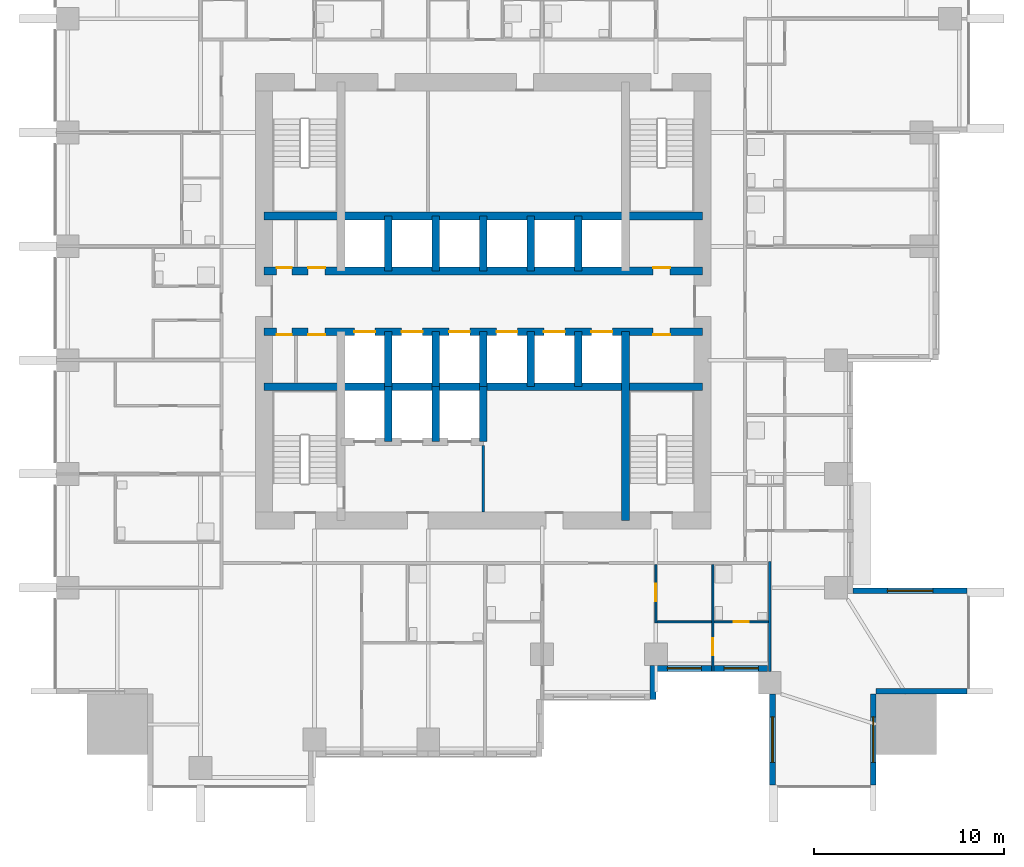
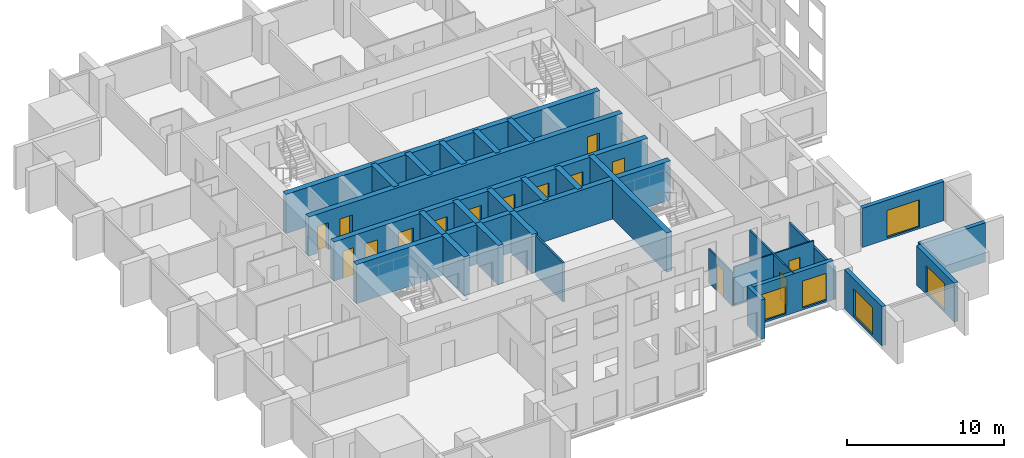
# One storey, part 5 of 11: 29 walls, 15 doors, 5 windows, 20 openings.
"""IFC4 building model written with IfcOpenShell, lengths in metres."""

from ifc_helpers import new_model, si_unit, direction, frame, frame_2d, origin, place, context, subcontext, project, spatial, rectangle, extrude, material, layer, layer_set, type_object, element, fill, save


model = new_model("IFC4")

# Units and contexts
model_context = context("Model", 3, precision=1e-05, world=origin(), true_north=direction((0.0, 1.0)))
body_context = subcontext(model_context, "Body", "Model", "MODEL_VIEW")
ifc_project = project(units=[si_unit("LENGTHUNIT", "METRE"), si_unit("AREAUNIT", "SQUARE_METRE"), si_unit("VOLUMEUNIT", "CUBIC_METRE"), si_unit("PLANEANGLEUNIT", "RADIAN"), si_unit("MASSUNIT", "GRAM", prefix="KILO")], contexts=[model_context])

# Site, building, storey
site_placement = place(None, origin())
site = spatial("IfcSite", under=ifc_project, at=site_placement, CompositionType="ELEMENT")
building_placement = place(site_placement, origin())
building = spatial("IfcBuilding", under=site, at=building_placement, Name="Amberfall Residences", CompositionType="ELEMENT")
storey_placement = place(building_placement, frame((0.0, 0.0, 59.800048828125)))
storey = spatial("IfcBuildingStorey", under=building, at=storey_placement, Name="L16", CompositionType="ELEMENT", Elevation=59.800048828125)

# Wall
ifc_material_1 = material(Name="Pale stone cladding on insulated backing", Category="masonry")
ifc_layer_1 = layer(ifc_material_1, 0.300048828125)
ifc_layer_set_1 = layer_set([ifc_layer_1], Name="Bronze clad wall 300")
wall_type_1 = type_object("IfcWallType", Name="Bronze clad wall 300", PredefinedType="SOLIDWALL", material=ifc_layer_set_1)
wall_1_placement = place(storey_placement, frame((83.449951171875, 24.5, 0.0), z_axis=(0.0, 0.0, 1.0), x_axis=(0.0, 1.0, 0.0)))
element("IfcWall", 1, at=wall_1_placement, inside=storey, type_object=wall_type_1, Name="External wall L16 S", PredefinedType="SOLIDWALL", context=body_context, shape_type="SweptSolid", body=[
    extrude(rectangle(XDim=1.800048828125, YDim=0.300048828125, at=frame_2d((0.89990234375, 0.0))), origin(), (0.0, 0.0, 1.0), 3.050048828125),
])

# Wall, opening, window
wall_2_placement = place(storey_placement, frame((89.75, 24.800048828125, 0.0), z_axis=(0.0, 0.0, 1.0), x_axis=(0.0, -1.0, 0.0)))
wall_2 = element("IfcWall", 2, at=wall_2_placement, inside=storey, type_object=wall_type_1, Name="External wall L16 S", PredefinedType="SOLIDWALL", context=body_context, shape_type="SweptSolid", body=[
    extrude(rectangle(XDim=4.800048828125, YDim=0.300048828125, at=frame_2d((2.39990234375, 0.0))), origin(), (0.0, 0.0, 1.0), 3.050048828125),
])
opening_1_placement = place(wall_2_placement, frame((1.199951171875, 0.0, 0.14990234375)))
opening_1 = element("IfcOpeningElement", 3, at=opening_1_placement, cuts=wall_2, Name="Opening WN5", PredefinedType="OPENING", context=body_context, shape_type="SweptSolid", body=[
    extrude(rectangle(XDim=2.39990234375, YDim=2.10009765625, at=frame_2d((1.199951171875, 1.050048828125))), frame((0.0, 0.159912109375, 0.0), z_axis=(0.0, -1.0, 0.0), x_axis=(1.0, 0.0, 0.0)), (0.0, 0.0, 1.0), 0.320068359375),
])
ifc_material_2 = material(Name="Bronze aluminium framed glazing", Category="aluminium")
window_type_1 = type_object("IfcWindowType", Name="Glazed opening 2400 x 2100 bronze", PartitioningType="DOUBLE_PANEL_VERTICAL", PredefinedType="WINDOW", material=ifc_material_2)
window_1_placement = place(opening_1_placement, origin())
window_1 = element("IfcWindow", 4, at=window_1_placement, inside=storey, type_object=window_type_1, Name="Window L16 S", OverallHeight=2.10009765625, OverallWidth=2.39990234375, PartitioningType="DOUBLE_PANEL_VERTICAL", PredefinedType="WINDOW", context=body_context, shape_type="SweptSolid", body=[
    extrude(rectangle(XDim=2.39990234375, YDim=2.10009765625, at=frame_2d((1.199951171875, 1.050048828125))), frame((0.0, 0.030029296875, 0.0), z_axis=(0.0, -1.0, 0.0), x_axis=(1.0, 0.0, 0.0)), (0.0, 0.0, 1.0), 0.06005859375),
])
fill(opening_1, window_1)

wall_3_placement = place(storey_placement, frame((95.050048828125, 20.0, 0.0), z_axis=(0.0, 0.0, 1.0), x_axis=(0.0, 1.0, 0.0)))
wall_3 = element("IfcWall", 5, at=wall_3_placement, inside=storey, type_object=wall_type_1, Name="External wall L16 SE", PredefinedType="SOLIDWALL", context=body_context, shape_type="SweptSolid", body=[
    extrude(rectangle(XDim=4.800048828125, YDim=0.300048828125, at=frame_2d((2.39990234375, 0.0))), origin(), (0.0, 0.0, 1.0), 3.050048828125),
])
opening_2_placement = place(wall_3_placement, frame((1.199951171875, 0.0, 0.14990234375)))
opening_2 = element("IfcOpeningElement", 6, at=opening_2_placement, cuts=wall_3, Name="Opening WN5", PredefinedType="OPENING", context=body_context, shape_type="SweptSolid", body=[
    extrude(rectangle(XDim=2.39990234375, YDim=2.10009765625, at=frame_2d((1.199951171875, 1.050048828125))), frame((0.0, 0.159912109375, 0.0), z_axis=(0.0, -1.0, 0.0), x_axis=(1.0, 0.0, 0.0)), (0.0, 0.0, 1.0), 0.320068359375),
])
window_2_placement = place(opening_2_placement, origin())
window_2 = element("IfcWindow", 7, at=window_2_placement, inside=storey, type_object=window_type_1, Name="Window L16 SE", OverallHeight=2.10009765625, OverallWidth=2.39990234375, PartitioningType="DOUBLE_PANEL_VERTICAL", PredefinedType="WINDOW", context=body_context, shape_type="SweptSolid", body=[
    extrude(rectangle(XDim=2.39990234375, YDim=2.10009765625, at=frame_2d((1.199951171875, 1.050048828125))), frame((0.0, 0.030029296875, 0.0), z_axis=(0.0, -1.0, 0.0), x_axis=(1.0, 0.0, 0.0)), (0.0, 0.0, 1.0), 0.06005859375),
])
fill(opening_2, window_2)

# Wall
wall_4_placement = place(storey_placement, frame((95.199951171875, 24.949951171875, 0.0), z_axis=(0.0, 0.0, 1.0), x_axis=(1.0, 0.0, 0.0)))
element("IfcWall", 8, at=wall_4_placement, inside=storey, type_object=wall_type_1, Name="External wall L16 SE", PredefinedType="SOLIDWALL", context=body_context, shape_type="SweptSolid", body=[
    extrude(rectangle(XDim=4.800048828125, YDim=0.300048828125, at=frame_2d((2.39990234375, 0.0))), origin(), (0.0, 0.0, 1.0), 3.050048828125),
])

# Wall, opening, window
wall_5_placement = place(storey_placement, frame((100.0, 30.25, 0.0), z_axis=(0.0, 0.0, 1.0), x_axis=(-1.0, 0.0, 0.0)))
wall_5 = element("IfcWall", 9, at=wall_5_placement, inside=storey, type_object=wall_type_1, Name="External wall L16 E", PredefinedType="SOLIDWALL", context=body_context, shape_type="SweptSolid", body=[
    extrude(rectangle(XDim=6.0, YDim=0.300048828125, at=frame_2d((3.0, 0.0))), origin(), (0.0, 0.0, 1.0), 3.050048828125),
])
opening_3_placement = place(wall_5_placement, frame((1.800048828125, 0.0, 0.14990234375)))
opening_3 = element("IfcOpeningElement", 10, at=opening_3_placement, cuts=wall_5, Name="Opening WN5", PredefinedType="OPENING", context=body_context, shape_type="SweptSolid", body=[
    extrude(rectangle(XDim=2.39990234375, YDim=2.10009765625, at=frame_2d((1.199951171875, 1.050048828125))), frame((0.0, 0.159912109375, 0.0), z_axis=(0.0, -1.0, 0.0), x_axis=(1.0, 0.0, 0.0)), (0.0, 0.0, 1.0), 0.320068359375),
])
window_3_placement = place(opening_3_placement, origin())
window_3 = element("IfcWindow", 11, at=window_3_placement, inside=storey, type_object=window_type_1, Name="Window L16 E", OverallHeight=2.10009765625, OverallWidth=2.39990234375, PartitioningType="DOUBLE_PANEL_VERTICAL", PredefinedType="WINDOW", context=body_context, shape_type="SweptSolid", body=[
    extrude(rectangle(XDim=2.39990234375, YDim=2.10009765625, at=frame_2d((1.199951171875, 1.050048828125))), frame((0.0, 0.030029296875, 0.0), z_axis=(0.0, -1.0, 0.0), x_axis=(1.0, 0.0, 0.0)), (0.0, 0.0, 1.0), 0.06005859375),
])
fill(opening_3, window_3)

# Wall, openings, windows
wall_6_placement = place(storey_placement, frame((83.60009765625, 26.14990234375, 0.0), z_axis=(0.0, 0.0, 1.0), x_axis=(1.0, 0.0, 0.0)))
wall_6 = element("IfcWall", 12, at=wall_6_placement, inside=storey, type_object=wall_type_1, Name="Stone wall L16 S", PredefinedType="SOLIDWALL", context=body_context, shape_type="SweptSolid", body=[
    extrude(rectangle(XDim=5.889892578125, YDim=0.300048828125, at=frame_2d((2.94482421875, 0.0))), origin(), (0.0, 0.0, 1.0), 3.050048828125),
])
opening_4_placement = place(wall_6_placement, frame((0.60009765625, 0.0, 0.14990234375)))
opening_4 = element("IfcOpeningElement", 13, at=opening_4_placement, cuts=wall_6, Name="Opening WN6", PredefinedType="OPENING", context=body_context, shape_type="SweptSolid", body=[
    extrude(rectangle(XDim=1.800048828125, YDim=2.10009765625, at=frame_2d((0.89990234375, 1.050048828125))), frame((0.0, 0.159912109375, 0.0), z_axis=(0.0, -1.0, 0.0), x_axis=(1.0, 0.0, 0.0)), (0.0, 0.0, 1.0), 0.320068359375),
])
opening_5_placement = place(wall_6_placement, frame((3.60009765625, 0.0, 0.14990234375)))
opening_5 = element("IfcOpeningElement", 14, at=opening_5_placement, cuts=wall_6, Name="Opening WN6", PredefinedType="OPENING", context=body_context, shape_type="SweptSolid", body=[
    extrude(rectangle(XDim=1.800048828125, YDim=2.10009765625, at=frame_2d((0.89990234375, 1.050048828125))), frame((0.0, 0.159912109375, 0.0), z_axis=(0.0, -1.0, 0.0), x_axis=(1.0, 0.0, 0.0)), (0.0, 0.0, 1.0), 0.320068359375),
])
window_type_2 = type_object("IfcWindowType", Name="Glazed opening 1800 x 2100 bronze", PartitioningType="DOUBLE_PANEL_VERTICAL", PredefinedType="WINDOW", material=ifc_material_2)
window_4_placement = place(opening_4_placement, origin())
window_4 = element("IfcWindow", 15, at=window_4_placement, inside=storey, type_object=window_type_2, Name="Window L16 S", OverallHeight=2.10009765625, OverallWidth=1.800048828125, PartitioningType="DOUBLE_PANEL_VERTICAL", PredefinedType="WINDOW", context=body_context, shape_type="SweptSolid", body=[
    extrude(rectangle(XDim=1.800048828125, YDim=2.10009765625, at=frame_2d((0.89990234375, 1.050048828125))), frame((0.0, 0.030029296875, 0.0), z_axis=(0.0, -1.0, 0.0), x_axis=(1.0, 0.0, 0.0)), (0.0, 0.0, 1.0), 0.06005859375),
])
fill(opening_4, window_4)
window_5_placement = place(opening_5_placement, origin())
window_5 = element("IfcWindow", 16, at=window_5_placement, inside=storey, type_object=window_type_2, Name="Window L16 S", OverallHeight=2.10009765625, OverallWidth=1.800048828125, PartitioningType="DOUBLE_PANEL_VERTICAL", PredefinedType="WINDOW", context=body_context, shape_type="SweptSolid", body=[
    extrude(rectangle(XDim=1.800048828125, YDim=2.10009765625, at=frame_2d((0.89990234375, 1.050048828125))), frame((0.0, 0.030029296875, 0.0), z_axis=(0.0, -1.0, 0.0), x_axis=(1.0, 0.0, 0.0)), (0.0, 0.0, 1.0), 0.06005859375),
])
fill(opening_5, window_5)

# Wall
ifc_material_3 = material(Name="Concrete C80", Category="concrete")
ifc_layer_2 = layer(ifc_material_3, 0.39990234375)
ifc_layer_set_2 = layer_set([ifc_layer_2], Name="Core wall 400 C80")
wall_type_2 = type_object("IfcWallType", Name="Core wall 400 C80", PredefinedType="SHEAR", material=ifc_layer_set_2)
wall_7_placement = place(storey_placement, frame((62.949951171875, 41.0, 0.0), z_axis=(0.0, 0.0, 1.0), x_axis=(1.0, 0.0, 0.0)))
element("IfcWall", 17, at=wall_7_placement, inside=storey, type_object=wall_type_2, Name="Core wall RW2 L16 H75", PredefinedType="SHEAR", context=body_context, shape_type="SweptSolid", body=[
    extrude(rectangle(XDim=23.10009765625, YDim=0.39990234375, at=frame_2d((11.550048828125, 0.0))), origin(), (0.0, 0.0, 1.0), 3.050048828125),
])

# Wall, openings, doors
wall_8_placement = place(storey_placement, frame((62.949951171875, 43.89990234375, 0.0), z_axis=(0.0, 0.0, 1.0), x_axis=(1.0, 0.0, 0.0)))
wall_8 = element("IfcWall", 18, at=wall_8_placement, inside=storey, type_object=wall_type_2, Name="Core wall RW2 L16 H104", PredefinedType="SHEAR", context=body_context, shape_type="SweptSolid", body=[
    extrude(rectangle(XDim=23.10009765625, YDim=0.39990234375, at=frame_2d((11.550048828125, 0.0))), origin(), (0.0, 0.0, 1.0), 3.050048828125),
])
opening_6_placement = place(wall_8_placement, frame((0.662109375, 0.0, 0.0)))
opening_6 = element("IfcOpeningElement", 19, at=opening_6_placement, cuts=wall_8, Name="Opening RD2", PredefinedType="OPENING", context=body_context, shape_type="SweptSolid", body=[
    extrude(rectangle(XDim=0.800048828125, YDim=2.10009765625, at=frame_2d((0.39990234375, 1.050048828125))), frame((0.0, 0.2099609375, 0.0), z_axis=(0.0, -1.0, 0.0), x_axis=(1.0, 0.0, 0.0)), (0.0, 0.0, 1.0), 0.419921875),
])
opening_7_placement = place(wall_8_placement, frame((2.31201171875, 0.0, 0.0)))
opening_7 = element("IfcOpeningElement", 20, at=opening_7_placement, cuts=wall_8, Name="Opening RD1", PredefinedType="OPENING", context=body_context, shape_type="SweptSolid", body=[
    extrude(rectangle(XDim=0.89990234375, YDim=2.10009765625, at=frame_2d((0.449951171875, 1.050048828125))), frame((0.0, 0.2099609375, 0.0), z_axis=(0.0, -1.0, 0.0), x_axis=(1.0, 0.0, 0.0)), (0.0, 0.0, 1.0), 0.419921875),
])
opening_8_placement = place(wall_8_placement, frame((20.5, 0.0, 0.0)))
opening_8 = element("IfcOpeningElement", 21, at=opening_8_placement, cuts=wall_8, Name="Opening RD1", PredefinedType="OPENING", context=body_context, shape_type="SweptSolid", body=[
    extrude(rectangle(XDim=0.89990234375, YDim=2.10009765625, at=frame_2d((0.449951171875, 1.050048828125))), frame((0.0, 0.2099609375, 0.0), z_axis=(0.0, -1.0, 0.0), x_axis=(1.0, 0.0, 0.0)), (0.0, 0.0, 1.0), 0.419921875),
])
opening_9_placement = place(wall_8_placement, frame((4.75, 0.0, 0.0)))
opening_9 = element("IfcOpeningElement", 22, at=opening_9_placement, cuts=wall_8, Name="Opening LD1", PredefinedType="OPENING", context=body_context, shape_type="SweptSolid", body=[
    extrude(rectangle(XDim=1.10009765625, YDim=2.10009765625, at=frame_2d((0.550048828125, 1.050048828125))), frame((0.0, 0.2099609375, 0.0), z_axis=(0.0, -1.0, 0.0), x_axis=(1.0, 0.0, 0.0)), (0.0, 0.0, 1.0), 0.419921875),
])
opening_10_placement = place(wall_8_placement, frame((7.25, 0.0, 0.0)))
opening_10 = element("IfcOpeningElement", 23, at=opening_10_placement, cuts=wall_8, Name="Opening LD1", PredefinedType="OPENING", context=body_context, shape_type="SweptSolid", body=[
    extrude(rectangle(XDim=1.10009765625, YDim=2.10009765625, at=frame_2d((0.550048828125, 1.050048828125))), frame((0.0, 0.2099609375, 0.0), z_axis=(0.0, -1.0, 0.0), x_axis=(1.0, 0.0, 0.0)), (0.0, 0.0, 1.0), 0.419921875),
])
opening_11_placement = place(wall_8_placement, frame((9.75, 0.0, 0.0)))
opening_11 = element("IfcOpeningElement", 24, at=opening_11_placement, cuts=wall_8, Name="Opening LD1", PredefinedType="OPENING", context=body_context, shape_type="SweptSolid", body=[
    extrude(rectangle(XDim=1.10009765625, YDim=2.10009765625, at=frame_2d((0.550048828125, 1.050048828125))), frame((0.0, 0.2099609375, 0.0), z_axis=(0.0, -1.0, 0.0), x_axis=(1.0, 0.0, 0.0)), (0.0, 0.0, 1.0), 0.419921875),
])
opening_12_placement = place(wall_8_placement, frame((12.25, 0.0, 0.0)))
opening_12 = element("IfcOpeningElement", 25, at=opening_12_placement, cuts=wall_8, Name="Opening LD1", PredefinedType="OPENING", context=body_context, shape_type="SweptSolid", body=[
    extrude(rectangle(XDim=1.10009765625, YDim=2.10009765625, at=frame_2d((0.550048828125, 1.050048828125))), frame((0.0, 0.2099609375, 0.0), z_axis=(0.0, -1.0, 0.0), x_axis=(1.0, 0.0, 0.0)), (0.0, 0.0, 1.0), 0.419921875),
])
opening_13_placement = place(wall_8_placement, frame((14.75, 0.0, 0.0)))
opening_13 = element("IfcOpeningElement", 26, at=opening_13_placement, cuts=wall_8, Name="Opening LD1", PredefinedType="OPENING", context=body_context, shape_type="SweptSolid", body=[
    extrude(rectangle(XDim=1.10009765625, YDim=2.10009765625, at=frame_2d((0.550048828125, 1.050048828125))), frame((0.0, 0.2099609375, 0.0), z_axis=(0.0, -1.0, 0.0), x_axis=(1.0, 0.0, 0.0)), (0.0, 0.0, 1.0), 0.419921875),
])
opening_14_placement = place(wall_8_placement, frame((17.25, 0.0, 0.0)))
opening_14 = element("IfcOpeningElement", 27, at=opening_14_placement, cuts=wall_8, Name="Opening LD1", PredefinedType="OPENING", context=body_context, shape_type="SweptSolid", body=[
    extrude(rectangle(XDim=1.10009765625, YDim=2.10009765625, at=frame_2d((0.550048828125, 1.050048828125))), frame((0.0, 0.2099609375, 0.0), z_axis=(0.0, -1.0, 0.0), x_axis=(1.0, 0.0, 0.0)), (0.0, 0.0, 1.0), 0.419921875),
])
ifc_material_4 = material(Name="Steel fire door set", Category="steel")
door_type_1 = type_object("IfcDoorType", Name="Lift landing door 1100 x 2100", OperationType="DOUBLE_DOOR_SLIDING", PredefinedType="DOOR", material=ifc_material_4)
door_1_placement = place(opening_9_placement, origin())
door_1 = element("IfcDoor", 28, at=door_1_placement, inside=storey, type_object=door_type_1, Name="Landing door LP1 L16", OperationType="DOUBLE_DOOR_SLIDING", OverallHeight=2.10009765625, OverallWidth=1.10009765625, PredefinedType="DOOR", context=body_context, shape_type="SweptSolid", body=[
    extrude(rectangle(XDim=1.10009765625, YDim=2.10009765625, at=frame_2d((0.550048828125, 1.050048828125))), frame((0.0, 0.02490234375, 0.0), z_axis=(0.0, -1.0, 0.0), x_axis=(1.0, 0.0, 0.0)), (0.0, 0.0, 1.0), 0.050048828125),
])
fill(opening_9, door_1)
door_2_placement = place(opening_10_placement, origin())
door_2 = element("IfcDoor", 29, at=door_2_placement, inside=storey, type_object=door_type_1, Name="Landing door LP2 L16", OperationType="DOUBLE_DOOR_SLIDING", OverallHeight=2.10009765625, OverallWidth=1.10009765625, PredefinedType="DOOR", context=body_context, shape_type="SweptSolid", body=[
    extrude(rectangle(XDim=1.10009765625, YDim=2.10009765625, at=frame_2d((0.550048828125, 1.050048828125))), frame((0.0, 0.02490234375, 0.0), z_axis=(0.0, -1.0, 0.0), x_axis=(1.0, 0.0, 0.0)), (0.0, 0.0, 1.0), 0.050048828125),
])
fill(opening_10, door_2)
door_3_placement = place(opening_11_placement, origin())
door_3 = element("IfcDoor", 30, at=door_3_placement, inside=storey, type_object=door_type_1, Name="Landing door LP3 L16", OperationType="DOUBLE_DOOR_SLIDING", OverallHeight=2.10009765625, OverallWidth=1.10009765625, PredefinedType="DOOR", context=body_context, shape_type="SweptSolid", body=[
    extrude(rectangle(XDim=1.10009765625, YDim=2.10009765625, at=frame_2d((0.550048828125, 1.050048828125))), frame((0.0, 0.02490234375, 0.0), z_axis=(0.0, -1.0, 0.0), x_axis=(1.0, 0.0, 0.0)), (0.0, 0.0, 1.0), 0.050048828125),
])
fill(opening_11, door_3)
door_4_placement = place(opening_12_placement, origin())
door_4 = element("IfcDoor", 31, at=door_4_placement, inside=storey, type_object=door_type_1, Name="Landing door LP4 L16", OperationType="DOUBLE_DOOR_SLIDING", OverallHeight=2.10009765625, OverallWidth=1.10009765625, PredefinedType="DOOR", context=body_context, shape_type="SweptSolid", body=[
    extrude(rectangle(XDim=1.10009765625, YDim=2.10009765625, at=frame_2d((0.550048828125, 1.050048828125))), frame((0.0, 0.02490234375, 0.0), z_axis=(0.0, -1.0, 0.0), x_axis=(1.0, 0.0, 0.0)), (0.0, 0.0, 1.0), 0.050048828125),
])
fill(opening_12, door_4)
door_5_placement = place(opening_13_placement, origin())
door_5 = element("IfcDoor", 32, at=door_5_placement, inside=storey, type_object=door_type_1, Name="Landing door LP5 L16", OperationType="DOUBLE_DOOR_SLIDING", OverallHeight=2.10009765625, OverallWidth=1.10009765625, PredefinedType="DOOR", context=body_context, shape_type="SweptSolid", body=[
    extrude(rectangle(XDim=1.10009765625, YDim=2.10009765625, at=frame_2d((0.550048828125, 1.050048828125))), frame((0.0, 0.02490234375, 0.0), z_axis=(0.0, -1.0, 0.0), x_axis=(1.0, 0.0, 0.0)), (0.0, 0.0, 1.0), 0.050048828125),
])
fill(opening_13, door_5)
door_6_placement = place(opening_14_placement, origin())
door_6 = element("IfcDoor", 33, at=door_6_placement, inside=storey, type_object=door_type_1, Name="Landing door LP6 L16", OperationType="DOUBLE_DOOR_SLIDING", OverallHeight=2.10009765625, OverallWidth=1.10009765625, PredefinedType="DOOR", context=body_context, shape_type="SweptSolid", body=[
    extrude(rectangle(XDim=1.10009765625, YDim=2.10009765625, at=frame_2d((0.550048828125, 1.050048828125))), frame((0.0, 0.02490234375, 0.0), z_axis=(0.0, -1.0, 0.0), x_axis=(1.0, 0.0, 0.0)), (0.0, 0.0, 1.0), 0.050048828125),
])
fill(opening_14, door_6)
door_type_2 = type_object("IfcDoorType", Name="Service room door 800 x 2100", OperationType="SINGLE_SWING_LEFT", PredefinedType="DOOR", material=ifc_material_4)
door_7_placement = place(opening_6_placement, origin())
door_7 = element("IfcDoor", 34, at=door_7_placement, inside=storey, type_object=door_type_2, Name="RD2 L16", OperationType="SINGLE_SWING_LEFT", OverallHeight=2.10009765625, OverallWidth=0.800048828125, PredefinedType="DOOR", context=body_context, shape_type="SweptSolid", body=[
    extrude(rectangle(XDim=0.800048828125, YDim=2.10009765625, at=frame_2d((0.39990234375, 1.050048828125))), frame((0.0, -0.1376953125, 0.0), z_axis=(0.0, -1.0, 0.0), x_axis=(1.0, 0.0, 0.0)), (0.0, 0.0, 1.0), 0.050048828125),
])
fill(opening_6, door_7)
door_type_3 = type_object("IfcDoorType", Name="Service room door 900 x 2100", OperationType="SINGLE_SWING_LEFT", PredefinedType="DOOR", material=ifc_material_4)
door_8_placement = place(opening_7_placement, origin())
door_8 = element("IfcDoor", 35, at=door_8_placement, inside=storey, type_object=door_type_3, Name="RD1 L16", OperationType="SINGLE_SWING_RIGHT", OverallHeight=2.10009765625, OverallWidth=0.89990234375, PredefinedType="DOOR", context=body_context, shape_type="SweptSolid", body=[
    extrude(rectangle(XDim=0.89990234375, YDim=2.10009765625, at=frame_2d((0.449951171875, 1.050048828125))), frame((0.0, -0.1376953125, 0.0), z_axis=(0.0, -1.0, 0.0), x_axis=(1.0, 0.0, 0.0)), (0.0, 0.0, 1.0), 0.050048828125),
])
fill(opening_7, door_8)
door_9_placement = place(opening_8_placement, origin())
door_9 = element("IfcDoor", 36, at=door_9_placement, inside=storey, type_object=door_type_3, Name="RD1 L16", OperationType="SINGLE_SWING_LEFT", OverallHeight=2.10009765625, OverallWidth=0.89990234375, PredefinedType="DOOR", context=body_context, shape_type="SweptSolid", body=[
    extrude(rectangle(XDim=0.89990234375, YDim=2.10009765625, at=frame_2d((0.449951171875, 1.050048828125))), frame((0.0, -0.1376953125, 0.0), z_axis=(0.0, -1.0, 0.0), x_axis=(1.0, 0.0, 0.0)), (0.0, 0.0, 1.0), 0.050048828125),
])
fill(opening_8, door_9)

wall_9_placement = place(storey_placement, frame((62.949951171875, 47.10009765625, 0.0), z_axis=(0.0, 0.0, 1.0), x_axis=(1.0, 0.0, 0.0)))
wall_9 = element("IfcWall", 37, at=wall_9_placement, inside=storey, type_object=wall_type_2, Name="Core wall RW2 L16 H136", PredefinedType="SHEAR", context=body_context, shape_type="SweptSolid", body=[
    extrude(rectangle(XDim=23.10009765625, YDim=0.39990234375, at=frame_2d((11.550048828125, 0.0))), origin(), (0.0, 0.0, 1.0), 3.050048828125),
])
opening_15_placement = place(wall_9_placement, frame((0.662109375, 0.0, 0.0)))
opening_15 = element("IfcOpeningElement", 38, at=opening_15_placement, cuts=wall_9, Name="Opening RD2", PredefinedType="OPENING", context=body_context, shape_type="SweptSolid", body=[
    extrude(rectangle(XDim=0.800048828125, YDim=2.10009765625, at=frame_2d((0.39990234375, 1.050048828125))), frame((0.0, 0.2099609375, 0.0), z_axis=(0.0, -1.0, 0.0), x_axis=(1.0, 0.0, 0.0)), (0.0, 0.0, 1.0), 0.419921875),
])
opening_16_placement = place(wall_9_placement, frame((2.31201171875, 0.0, 0.0)))
opening_16 = element("IfcOpeningElement", 39, at=opening_16_placement, cuts=wall_9, Name="Opening RD1", PredefinedType="OPENING", context=body_context, shape_type="SweptSolid", body=[
    extrude(rectangle(XDim=0.89990234375, YDim=2.10009765625, at=frame_2d((0.449951171875, 1.050048828125))), frame((0.0, 0.2099609375, 0.0), z_axis=(0.0, -1.0, 0.0), x_axis=(1.0, 0.0, 0.0)), (0.0, 0.0, 1.0), 0.419921875),
])
opening_17_placement = place(wall_9_placement, frame((20.5, 0.0, 0.0)))
opening_17 = element("IfcOpeningElement", 40, at=opening_17_placement, cuts=wall_9, Name="Opening RD1", PredefinedType="OPENING", context=body_context, shape_type="SweptSolid", body=[
    extrude(rectangle(XDim=0.89990234375, YDim=2.10009765625, at=frame_2d((0.449951171875, 1.050048828125))), frame((0.0, 0.2099609375, 0.0), z_axis=(0.0, -1.0, 0.0), x_axis=(1.0, 0.0, 0.0)), (0.0, 0.0, 1.0), 0.419921875),
])
door_10_placement = place(opening_15_placement, origin())
door_10 = element("IfcDoor", 41, at=door_10_placement, inside=storey, type_object=door_type_2, Name="RD2 L16", OperationType="SINGLE_SWING_LEFT", OverallHeight=2.10009765625, OverallWidth=0.800048828125, PredefinedType="DOOR", context=body_context, shape_type="SweptSolid", body=[
    extrude(rectangle(XDim=0.800048828125, YDim=2.10009765625, at=frame_2d((0.39990234375, 1.050048828125))), frame((0.0, 0.1875, 0.0), z_axis=(0.0, -1.0, 0.0), x_axis=(1.0, 0.0, 0.0)), (0.0, 0.0, 1.0), 0.050048828125),
])
fill(opening_15, door_10)
door_11_placement = place(opening_16_placement, origin())
door_11 = element("IfcDoor", 42, at=door_11_placement, inside=storey, type_object=door_type_3, Name="RD1 L16", OperationType="SINGLE_SWING_RIGHT", OverallHeight=2.10009765625, OverallWidth=0.89990234375, PredefinedType="DOOR", context=body_context, shape_type="SweptSolid", body=[
    extrude(rectangle(XDim=0.89990234375, YDim=2.10009765625, at=frame_2d((0.449951171875, 1.050048828125))), frame((0.0, 0.1875, 0.0), z_axis=(0.0, -1.0, 0.0), x_axis=(1.0, 0.0, 0.0)), (0.0, 0.0, 1.0), 0.050048828125),
])
fill(opening_16, door_11)
door_12_placement = place(opening_17_placement, origin())
door_12 = element("IfcDoor", 43, at=door_12_placement, inside=storey, type_object=door_type_3, Name="RD1 L16", OperationType="SINGLE_SWING_LEFT", OverallHeight=2.10009765625, OverallWidth=0.89990234375, PredefinedType="DOOR", context=body_context, shape_type="SweptSolid", body=[
    extrude(rectangle(XDim=0.89990234375, YDim=2.10009765625, at=frame_2d((0.449951171875, 1.050048828125))), frame((0.0, 0.1875, 0.0), z_axis=(0.0, -1.0, 0.0), x_axis=(1.0, 0.0, 0.0)), (0.0, 0.0, 1.0), 0.050048828125),
])
fill(opening_17, door_12)

# Walls
wall_10_placement = place(storey_placement, frame((62.949951171875, 50.0, 0.0), z_axis=(0.0, 0.0, 1.0), x_axis=(1.0, 0.0, 0.0)))
element("IfcWall", 44, at=wall_10_placement, inside=storey, type_object=wall_type_2, Name="Core wall RW2 L16 H165", PredefinedType="SHEAR", context=body_context, shape_type="SweptSolid", body=[
    extrude(rectangle(XDim=23.10009765625, YDim=0.39990234375, at=frame_2d((11.550048828125, 0.0))), origin(), (0.0, 0.0, 1.0), 3.050048828125),
])
wall_11_placement = place(storey_placement, frame((82.0, 33.949951171875, 0.0), z_axis=(0.0, 0.0, 1.0), x_axis=(0.0, 1.0, 0.0)))
element("IfcWall", 45, at=wall_11_placement, inside=storey, type_object=wall_type_2, Name="Core wall RW2 L16 V195S", PredefinedType="SHEAR", context=body_context, shape_type="SweptSolid", body=[
    extrude(rectangle(XDim=9.949951171875, YDim=0.39990234375, at=frame_2d((4.97509765625, 0.0))), origin(), (0.0, 0.0, 1.0), 3.050048828125),
])
for number, where, z_axis, x_axis, name in (
    (46, (69.5, 41.0, 0.0), (0.0, 0.0, 1.0), (0.0, 1.0, 0.0), "Core wall RW2 L16 LPD1"),
    (47, (69.5, 47.10009765625, 0.0), (0.0, 0.0, 1.0), (0.0, 1.0, 0.0), "Core wall RW2 L16 HPD1"),
    (48, (72.0, 41.0, 0.0), (0.0, 0.0, 1.0), (0.0, 1.0, 0.0), "Core wall RW2 L16 LPD2"),
    (49, (72.0, 47.10009765625, 0.0), (0.0, 0.0, 1.0), (0.0, 1.0, 0.0), "Core wall RW2 L16 HPD2"),
    (50, (74.5, 41.0, 0.0), (0.0, 0.0, 1.0), (0.0, 1.0, 0.0), "Core wall RW2 L16 LPD3"),
    (51, (74.5, 47.10009765625, 0.0), (0.0, 0.0, 1.0), (0.0, 1.0, 0.0), "Core wall RW2 L16 HPD3"),
    (52, (77.0, 41.0, 0.0), (0.0, 0.0, 1.0), (0.0, 1.0, 0.0), "Core wall RW2 L16 LPD4"),
    (53, (77.0, 47.10009765625, 0.0), (0.0, 0.0, 1.0), (0.0, 1.0, 0.0), "Core wall RW2 L16 HPD4"),
    (54, (79.5, 41.0, 0.0), (0.0, 0.0, 1.0), (0.0, 1.0, 0.0), "Core wall RW2 L16 LPD5"),
    (55, (79.5, 47.10009765625, 0.0), (0.0, 0.0, 1.0), (0.0, 1.0, 0.0), "Core wall RW2 L16 HPD5"),
    (56, (69.5, 38.10009765625, 0.0), (0.0, 0.0, 1.0), (0.0, 1.0, 0.0), "Core wall RW2 L16 FFD1"),
    (57, (72.0, 38.10009765625, 0.0), (0.0, 0.0, 1.0), (0.0, 1.0, 0.0), "Core wall RW2 L16 FFD2"),
    (58, (74.5, 38.10009765625, 0.0), (0.0, 0.0, 1.0), (0.0, 1.0, 0.0), "Core wall RW2 L16 FFD3"),
):
    element("IfcWall", number, at=place(storey_placement, frame(where, z_axis=z_axis, x_axis=x_axis)), inside=storey, type_object=wall_type_2, Name=name, PredefinedType="SHEAR", context=body_context, shape_type="SweptSolid", body=[
        extrude(rectangle(XDim=2.89990234375, YDim=0.39990234375, at=frame_2d((1.449951171875, 0.0))), origin(), (0.0, 0.0, 1.0), 3.050048828125),
    ])

# Wall, opening, door
ifc_material_5 = material(Name="Gypsum board on metal stud")
ifc_layer_3 = layer(ifc_material_5, 0.10009765625)
ifc_layer_set_3 = layer_set([ifc_layer_3], Name="Flat partition 100")
wall_type_3 = type_object("IfcWallType", Name="Flat partition 100", PredefinedType="PARTITIONING", material=ifc_layer_set_3)
wall_12_placement = place(storey_placement, frame((83.60009765625, 31.625, 0.0), z_axis=(0.0, 0.0, 1.0), x_axis=(0.0, -1.0, 0.0)))
wall_12 = element("IfcWall", 59, at=wall_12_placement, inside=storey, type_object=wall_type_3, Name="Partition 015", PredefinedType="PARTITIONING", context=body_context, shape_type="SweptSolid", body=[
    extrude(rectangle(XDim=3.074951171875, YDim=0.10009765625, at=frame_2d((1.53759765625, 0.0))), origin(), (0.0, 0.0, 1.0), 2.64697265625),
])
opening_18_placement = place(wall_12_placement, frame((1.02490234375, 0.0, 0.0)))
opening_18 = element("IfcOpeningElement", 60, at=opening_18_placement, cuts=wall_12, Name="Opening D41", PredefinedType="OPENING", context=body_context, shape_type="SweptSolid", body=[
    extrude(rectangle(XDim=0.89990234375, YDim=2.10009765625, at=frame_2d((0.449951171875, 1.050048828125))), frame((0.0, 0.06005859375, 0.0), z_axis=(0.0, -1.0, 0.0), x_axis=(1.0, 0.0, 0.0)), (0.0, 0.0, 1.0), 0.1201171875),
])
ifc_material_6 = material(Name="Timber", Category="wood")
door_type_4 = type_object("IfcDoorType", Name="Internal door 900 x 2100", OperationType="SINGLE_SWING_LEFT", PredefinedType="DOOR", material=ifc_material_6)
door_13_placement = place(opening_18_placement, origin())
door_13 = element("IfcDoor", 61, at=door_13_placement, inside=storey, type_object=door_type_4, Name="Door 1602 kitchen", OperationType="SINGLE_SWING_LEFT", OverallHeight=2.10009765625, OverallWidth=0.89990234375, PredefinedType="DOOR", context=body_context, shape_type="SweptSolid", body=[
    extrude(rectangle(XDim=0.89990234375, YDim=2.10009765625, at=frame_2d((0.449951171875, 1.050048828125))), frame((0.0, 0.02490234375, 0.0), z_axis=(0.0, -1.0, 0.0), x_axis=(1.0, 0.0, 0.0)), (0.0, 0.0, 1.0), 0.050048828125),
])
fill(opening_18, door_13)

wall_13_placement = place(storey_placement, frame((86.60009765625, 31.625, 0.0), z_axis=(0.0, 0.0, 1.0), x_axis=(0.0, -1.0, 0.0)))
wall_13 = element("IfcWall", 62, at=wall_13_placement, inside=storey, type_object=wall_type_3, Name="Partition 017", PredefinedType="PARTITIONING", context=body_context, shape_type="SweptSolid", body=[
    extrude(rectangle(XDim=5.625, YDim=0.10009765625, at=frame_2d((2.8125, 0.0))), origin(), (0.0, 0.0, 1.0), 3.050048828125),
])
opening_19_placement = place(wall_13_placement, frame((3.875, 0.0, 0.0)))
opening_19 = element("IfcOpeningElement", 63, at=opening_19_placement, cuts=wall_13, Name="Opening D41", PredefinedType="OPENING", context=body_context, shape_type="SweptSolid", body=[
    extrude(rectangle(XDim=0.89990234375, YDim=2.10009765625, at=frame_2d((0.449951171875, 1.050048828125))), frame((0.0, 0.06005859375, 0.0), z_axis=(0.0, -1.0, 0.0), x_axis=(1.0, 0.0, 0.0)), (0.0, 0.0, 1.0), 0.1201171875),
])
door_14_placement = place(opening_19_placement, origin())
door_14 = element("IfcDoor", 64, at=door_14_placement, inside=storey, type_object=door_type_4, Name="Door 1602 bedroom2", OperationType="SINGLE_SWING_LEFT", OverallHeight=2.10009765625, OverallWidth=0.89990234375, PredefinedType="DOOR", context=body_context, shape_type="SweptSolid", body=[
    extrude(rectangle(XDim=0.89990234375, YDim=2.10009765625, at=frame_2d((0.449951171875, 1.050048828125))), frame((0.0, 0.02490234375, 0.0), z_axis=(0.0, -1.0, 0.0), x_axis=(1.0, 0.0, 0.0)), (0.0, 0.0, 1.0), 0.050048828125),
])
fill(opening_19, door_14)

wall_14_placement = place(storey_placement, frame((83.64990234375, 28.60009765625, 0.0), z_axis=(0.0, 0.0, 1.0), x_axis=(1.0, 0.0, 0.0)))
wall_14 = element("IfcWall", 65, at=wall_14_placement, inside=storey, type_object=wall_type_3, Name="Partition 039", PredefinedType="PARTITIONING", context=body_context, shape_type="SweptSolid", body=[
    extrude(rectangle(XDim=5.875, YDim=0.10009765625, at=frame_2d((2.9375, 0.0))), origin(), (0.0, 0.0, 1.0), 3.050048828125),
])
opening_20_placement = place(wall_14_placement, frame((4.050048828125, 0.0, 0.0)))
opening_20 = element("IfcOpeningElement", 66, at=opening_20_placement, cuts=wall_14, Name="Opening D42", PredefinedType="OPENING", context=body_context, shape_type="SweptSolid", body=[
    extrude(rectangle(XDim=0.800048828125, YDim=2.10009765625, at=frame_2d((0.39990234375, 1.050048828125))), frame((0.0, 0.06005859375, 0.0), z_axis=(0.0, -1.0, 0.0), x_axis=(1.0, 0.0, 0.0)), (0.0, 0.0, 1.0), 0.1201171875),
])
door_type_5 = type_object("IfcDoorType", Name="Bathroom door 800 x 2100", OperationType="SINGLE_SWING_LEFT", PredefinedType="DOOR", material=ifc_material_6)
door_15_placement = place(opening_20_placement, origin())
door_15 = element("IfcDoor", 67, at=door_15_placement, inside=storey, type_object=door_type_5, Name="Door 1602 bath2", OperationType="SINGLE_SWING_LEFT", OverallHeight=2.10009765625, OverallWidth=0.800048828125, PredefinedType="DOOR", context=body_context, shape_type="SweptSolid", body=[
    extrude(rectangle(XDim=0.800048828125, YDim=2.10009765625, at=frame_2d((0.39990234375, 1.050048828125))), frame((0.0, 0.02490234375, 0.0), z_axis=(0.0, -1.0, 0.0), x_axis=(1.0, 0.0, 0.0)), (0.0, 0.0, 1.0), 0.050048828125),
])
fill(opening_20, door_15)

# Walls
ifc_material_7 = material(Name="Blockwork, plastered", Category="masonry")
ifc_layer_4 = layer(ifc_material_7, 0.14990234375)
ifc_layer_set_4 = layer_set([ifc_layer_4], Name="Flat separating wall 150")
wall_type_4 = type_object("IfcWallType", Name="Flat separating wall 150", PredefinedType="PARTITIONING", material=ifc_layer_set_4)
wall_15_placement = place(storey_placement, frame((89.60009765625, 26.0, 0.0), z_axis=(0.0, 0.0, 1.0), x_axis=(0.0, 1.0, 0.0)))
element("IfcWall", 68, at=wall_15_placement, inside=storey, type_object=wall_type_4, Name="Separating wall 047", PredefinedType="PARTITIONING", context=body_context, shape_type="SweptSolid", body=[
    extrude(rectangle(XDim=5.77490234375, YDim=0.14990234375, at=frame_2d((2.887451171875, 0.0))), origin(), (0.0, 0.0, 1.0), 2.515869140625),
])
ifc_material_8 = material(Name="Concrete blockwork", Category="masonry")
ifc_layer_5 = layer(ifc_material_8, 0.14990234375)
ifc_layer_set_5 = layer_set([ifc_layer_5], Name="Riser wall 150")
wall_type_5 = type_object("IfcWallType", Name="Riser wall 150", PredefinedType="PLUMBINGWALL", material=ifc_layer_set_5)
wall_16_placement = place(storey_placement, frame((74.5, 34.39990234375, 0.0), z_axis=(0.0, 0.0, 1.0), x_axis=(0.0, 1.0, 0.0)))
element("IfcWall", 69, at=wall_16_placement, inside=storey, type_object=wall_type_5, Name="L16 core wall PX", PredefinedType="PLUMBINGWALL", context=body_context, shape_type="SweptSolid", body=[
    extrude(rectangle(XDim=3.5, YDim=0.14990234375, at=frame_2d((1.75, 0.0))), origin(), (0.0, 0.0, 1.0), 3.050048828125),
])

save(model, "model.ifc")
